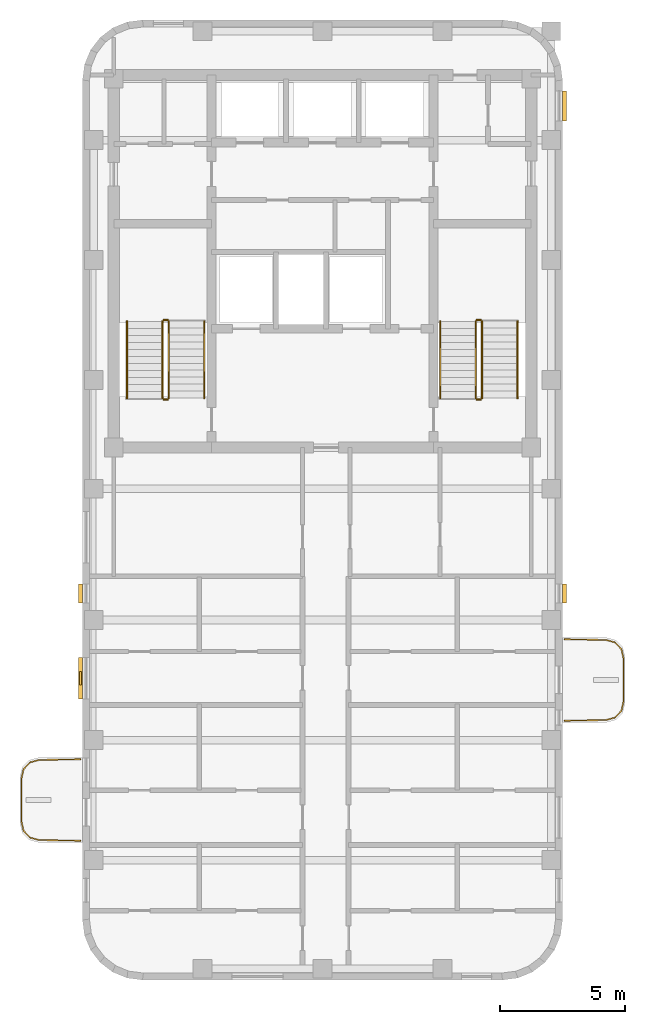
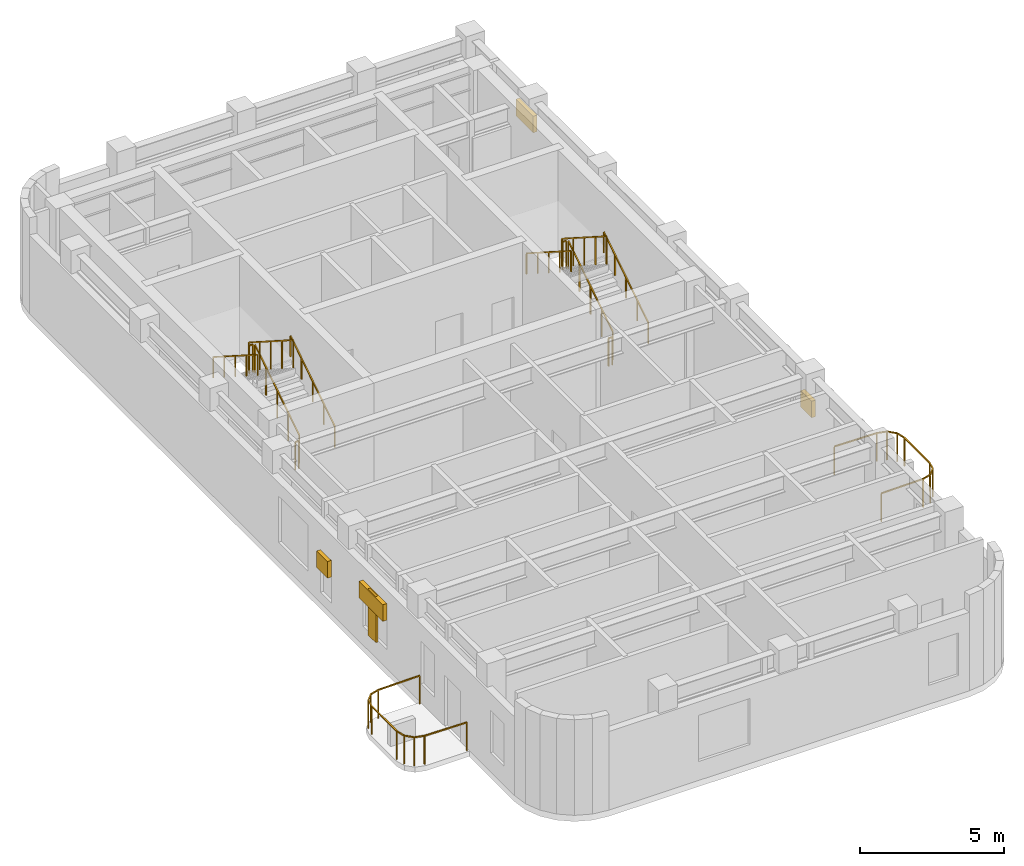
# One storey, part 6 of 6: 14 railings, 5 shading devices.
"""IFC4 building model written with IfcOpenShell, lengths in metres."""

from ifc_helpers import new_model, si_unit, direction, frame, origin, origin_2d, place, context, subcontext, project, spatial, rectangle, extrude, material, type_object, element, save


model = new_model("IFC4")

# Units and contexts
model_context = context("Model", 3, precision=1e-05, world=origin(), true_north=direction((0.0, 1.0)))
body_context = subcontext(model_context, "Body", "Model", "MODEL_VIEW")
ifc_project = project(units=[si_unit("LENGTHUNIT", "METRE"), si_unit("AREAUNIT", "SQUARE_METRE"), si_unit("VOLUMEUNIT", "CUBIC_METRE"), si_unit("PLANEANGLEUNIT", "RADIAN"), si_unit("MASSUNIT", "GRAM", prefix="KILO")], contexts=[model_context])

# Site, building, storey
site_placement = place(None, origin())
site = spatial("IfcSite", under=ifc_project, at=site_placement, CompositionType="ELEMENT")
building_placement = place(site_placement, origin())
building = spatial("IfcBuilding", under=site, at=building_placement, Name="Orvandelia Arch Residences", CompositionType="ELEMENT")
storey_placement = place(building_placement, frame((0.0, 0.0, 248.39990234375)))
storey = spatial("IfcBuildingStorey", under=building, at=storey_placement, Name="L65", CompositionType="ELEMENT", Elevation=248.39990234375)

# Railings
ifc_material_1 = material(Name="Marine-Grade Stainless Steel 316", Category="steel")
railing_type_1 = type_object("IfcRailingType", Name="GRD-BAL-1200", PredefinedType="BALUSTRADE", material=ifc_material_1)
railing_1_placement = place(storey_placement, frame((4.728271484375, 18.430419921875, 0.0)))
element("IfcRailing", 1, at=railing_1_placement, inside=storey, type_object=railing_type_1, Name="Safety Balustrade Guard GRD-L65-BAL-L65-W1-1", PredefinedType="BALUSTRADE", context=body_context, shape_type="SweptSolid", body=[
    extrude(rectangle(XDim=0.048095703125, YDim=0.048095703125, at=origin_2d()), frame((0.0, 0.0, 1.19580078125), z_axis=(-0.999834751713, -0.018178813668, 0.0), x_axis=(0.018178813668, -0.999834751713, 0.0)), (0.0, 0.0, 1.0), 1.6787109375),
    extrude(rectangle(XDim=0.048095703125, YDim=0.048095703125, at=origin_2d()), frame((-1.678466796875, -0.030517578125, 1.19580078125), z_axis=(-0.96348920644, -0.267747173792, 0.0), x_axis=(0.267747173792, -0.96348920644, 0.0)), (0.0, 0.0, 1.0), 0.36572265625),
    extrude(rectangle(XDim=0.048095703125, YDim=0.048095703125, at=origin_2d()), frame((-2.03076171875, -0.12841796875, 1.19580078125), z_axis=(-0.688627404251, -0.725115368831, 0.0), x_axis=(0.725115368831, -0.688627404251, 0.0)), (0.0, 0.0, 1.0), 0.367919921875),
    extrude(rectangle(XDim=0.048095703125, YDim=0.048095703125, at=origin_2d()), frame((-2.2841796875, -0.395263671875, 1.19580078125), z_axis=(-0.220602419982, -0.975363815352, 0.0), x_axis=(0.975363815352, -0.220602419982, 0.0)), (0.0, 0.0, 1.0), 0.373046875),
    extrude(rectangle(XDim=0.048095703125, YDim=0.048095703125, at=origin_2d()), frame((-2.366455078125, -0.759033203125, 1.19580078125), z_axis=(0.0, -1.0, 0.0), x_axis=(1.0, 0.0, 0.0)), (0.0, 0.0, 1.0), 1.74267578125),
    extrude(rectangle(XDim=0.048095703125, YDim=0.048095703125, at=origin_2d()), frame((-2.366455078125, -2.501708984375, 1.19580078125), z_axis=(0.220602419982, -0.975363815352, 0.0), x_axis=(0.975363815352, 0.220602419982, 0.0)), (0.0, 0.0, 1.0), 0.373046875),
    extrude(rectangle(XDim=0.048095703125, YDim=0.048095703125, at=origin_2d()), frame((-2.2841796875, -2.865478515625, 1.19580078125), z_axis=(0.688296224633, -0.725429739642, 0.0), x_axis=(0.725429739642, 0.688296224633, 0.0)), (0.0, 0.0, 1.0), 0.3681640625),
    extrude(rectangle(XDim=0.048095703125, YDim=0.048095703125, at=origin_2d()), frame((-2.03076171875, -3.132568359375, 1.19580078125), z_axis=(0.96348920644, -0.267747173792, 0.0), x_axis=(0.267747173792, 0.96348920644, 0.0)), (0.0, 0.0, 1.0), 0.36572265625),
    extrude(rectangle(XDim=0.048095703125, YDim=0.048095703125, at=origin_2d()), frame((-1.678466796875, -3.23046875, 1.19580078125), z_axis=(0.999837384468, -0.018033430643, 0.0), x_axis=(0.018033430643, 0.999837384468, 0.0)), (0.0, 0.0, 1.0), 1.6787109375),
    extrude(rectangle(XDim=0.0419921875, YDim=0.0419921875, at=origin_2d()), origin(), (0.0, 0.0, 1.0), 1.171875),
    extrude(rectangle(XDim=0.0419921875, YDim=0.0419921875, at=origin_2d()), frame((-1.678466796875, -0.030517578125, 0.0)), (0.0, 0.0, 1.0), 1.171875),
    extrude(rectangle(XDim=0.0419921875, YDim=0.0419921875, at=origin_2d()), frame((-2.03076171875, -0.12841796875, 0.0)), (0.0, 0.0, 1.0), 1.171875),
    extrude(rectangle(XDim=0.0419921875, YDim=0.0419921875, at=origin_2d()), frame((-2.2841796875, -0.395263671875, 0.0)), (0.0, 0.0, 1.0), 1.171875),
    extrude(rectangle(XDim=0.0419921875, YDim=0.0419921875, at=origin_2d()), frame((-2.366455078125, -0.759033203125, 0.0)), (0.0, 0.0, 1.0), 1.171875),
    extrude(rectangle(XDim=0.0419921875, YDim=0.0419921875, at=origin_2d()), frame((-2.366455078125, -2.501708984375, 0.0)), (0.0, 0.0, 1.0), 1.171875),
    extrude(rectangle(XDim=0.0419921875, YDim=0.0419921875, at=origin_2d()), frame((-2.2841796875, -2.865478515625, 0.0)), (0.0, 0.0, 1.0), 1.171875),
    extrude(rectangle(XDim=0.0419921875, YDim=0.0419921875, at=origin_2d()), frame((-2.03076171875, -3.132568359375, 0.0)), (0.0, 0.0, 1.0), 1.171875),
    extrude(rectangle(XDim=0.0419921875, YDim=0.0419921875, at=origin_2d()), frame((-1.678466796875, -3.23046875, 0.0)), (0.0, 0.0, 1.0), 1.171875),
    extrude(rectangle(XDim=0.0419921875, YDim=0.0419921875, at=origin_2d()), frame((0.0, -3.2607421875, 0.0)), (0.0, 0.0, 1.0), 1.171875),
])
railing_2_placement = place(storey_placement, frame((24.07177734375, 19.969482421875, 0.0)))
element("IfcRailing", 2, at=railing_2_placement, inside=storey, type_object=railing_type_1, Name="Safety Balustrade Guard GRD-L65-BAL-L65-W2-1", PredefinedType="BALUSTRADE", context=body_context, shape_type="SweptSolid", body=[
    extrude(rectangle(XDim=0.048095703125, YDim=0.048095703125, at=origin_2d()), frame((0.0, 0.0, 1.19580078125), z_axis=(0.999834751713, 0.018178813668, 0.0), x_axis=(-0.018178813668, 0.999834751713, 0.0)), (0.0, 0.0, 1.0), 1.6787109375),
    extrude(rectangle(XDim=0.048095703125, YDim=0.048095703125, at=origin_2d()), frame((1.678466796875, 0.030517578125, 1.19580078125), z_axis=(0.96348920644, 0.267747173792, 0.0), x_axis=(-0.267747173792, 0.96348920644, 0.0)), (0.0, 0.0, 1.0), 0.36572265625),
    extrude(rectangle(XDim=0.048095703125, YDim=0.048095703125, at=origin_2d()), frame((2.03076171875, 0.12841796875, 1.19580078125), z_axis=(0.687947031175, 0.725760898848, 0.0), x_axis=(-0.725760898848, 0.687947031175, 0.0)), (0.0, 0.0, 1.0), 0.367919921875),
    extrude(rectangle(XDim=0.048095703125, YDim=0.048095703125, at=origin_2d()), frame((2.283935546875, 0.3955078125, 1.19580078125), z_axis=(0.221225034864, 0.975222786828, 0.0), x_axis=(-0.975222786828, 0.221225034864, 0.0)), (0.0, 0.0, 1.0), 0.373046875),
    extrude(rectangle(XDim=0.048095703125, YDim=0.048095703125, at=origin_2d()), frame((2.366455078125, 0.75927734375, 1.19580078125), z_axis=(0.0, 1.0, 0.0), x_axis=(-1.0, 0.0, 0.0)), (0.0, 0.0, 1.0), 1.742431640625),
    extrude(rectangle(XDim=0.048095703125, YDim=0.048095703125, at=origin_2d()), frame((2.366455078125, 2.501708984375, 1.19580078125), z_axis=(-0.2210839158, 0.975254788337, 0.0), x_axis=(-0.975254788337, -0.2210839158, 0.0)), (0.0, 0.0, 1.0), 0.373291015625),
    extrude(rectangle(XDim=0.048095703125, YDim=0.048095703125, at=origin_2d()), frame((2.283935546875, 2.86572265625, 1.19580078125), z_axis=(-0.688278345278, 0.725446703364, 0.0), x_axis=(-0.725446703364, -0.688278345278, 0.0)), (0.0, 0.0, 1.0), 0.367919921875),
    extrude(rectangle(XDim=0.048095703125, YDim=0.048095703125, at=origin_2d()), frame((2.03076171875, 3.132568359375, 1.19580078125), z_axis=(-0.96348920644, 0.267747173792, 0.0), x_axis=(-0.267747173792, -0.96348920644, 0.0)), (0.0, 0.0, 1.0), 0.36572265625),
    extrude(rectangle(XDim=0.048095703125, YDim=0.048095703125, at=origin_2d()), frame((1.678466796875, 3.23046875, 1.19580078125), z_axis=(-0.999834751713, 0.018178813668, 0.0), x_axis=(-0.018178813668, -0.999834751713, 0.0)), (0.0, 0.0, 1.0), 1.6787109375),
    extrude(rectangle(XDim=0.0419921875, YDim=0.0419921875, at=origin_2d()), origin(), (0.0, 0.0, 1.0), 1.171875),
    extrude(rectangle(XDim=0.0419921875, YDim=0.0419921875, at=origin_2d()), frame((1.678466796875, 0.030517578125, 0.0)), (0.0, 0.0, 1.0), 1.171875),
    extrude(rectangle(XDim=0.0419921875, YDim=0.0419921875, at=origin_2d()), frame((2.03076171875, 0.12841796875, 0.0)), (0.0, 0.0, 1.0), 1.171875),
    extrude(rectangle(XDim=0.0419921875, YDim=0.0419921875, at=origin_2d()), frame((2.283935546875, 0.3955078125, 0.0)), (0.0, 0.0, 1.0), 1.171875),
    extrude(rectangle(XDim=0.0419921875, YDim=0.0419921875, at=origin_2d()), frame((2.366455078125, 0.75927734375, 0.0)), (0.0, 0.0, 1.0), 1.171875),
    extrude(rectangle(XDim=0.0419921875, YDim=0.0419921875, at=origin_2d()), frame((2.366455078125, 2.501708984375, 0.0)), (0.0, 0.0, 1.0), 1.171875),
    extrude(rectangle(XDim=0.0419921875, YDim=0.0419921875, at=origin_2d()), frame((2.283935546875, 2.86572265625, 0.0)), (0.0, 0.0, 1.0), 1.171875),
    extrude(rectangle(XDim=0.0419921875, YDim=0.0419921875, at=origin_2d()), frame((2.03076171875, 3.132568359375, 0.0)), (0.0, 0.0, 1.0), 1.171875),
    extrude(rectangle(XDim=0.0419921875, YDim=0.0419921875, at=origin_2d()), frame((1.678466796875, 3.23046875, 0.0)), (0.0, 0.0, 1.0), 1.171875),
    extrude(rectangle(XDim=0.0419921875, YDim=0.0419921875, at=origin_2d()), frame((0.0, 3.260986328125, 0.0)), (0.0, 0.0, 1.0), 1.171875),
])
ifc_material_2 = material(Name="Brushed Stainless Steel 304", Category="steel")
railing_type_2 = type_object("IfcRailingType", Name="RL-STAIR-GD1120", PredefinedType="GUARDRAIL", material=ifc_material_2)
railing_3_placement = place(storey_placement, frame((8.25, 32.8701171875, 0.17919921875)))
element("IfcRailing", 3, at=railing_3_placement, inside=storey, type_object=railing_type_2, Name="L65 ST-1 stair guard 1", PredefinedType="GUARDRAIL", context=body_context, shape_type="SweptSolid", body=[
    extrude(rectangle(XDim=0.048095703125, YDim=0.048095703125, at=origin_2d()), frame((0.0, 0.0, 1.17578125), z_axis=(0.0, 0.842289589211, 0.539025275759), x_axis=(-1.0, 0.0, 0.0)), (0.0, 0.0, 1.0), 3.656494140625),
    extrude(rectangle(XDim=0.0419921875, YDim=0.0419921875, at=origin_2d()), origin(), (0.0, 0.0, 1.0), 1.15185546875),
    extrude(rectangle(XDim=0.0419921875, YDim=0.0419921875, at=origin_2d()), frame((0.0, 0.77001953125, 0.49267578125)), (0.0, 0.0, 1.0), 1.15185546875),
    extrude(rectangle(XDim=0.0419921875, YDim=0.0419921875, at=origin_2d()), frame((0.0, 1.5400390625, 0.9853515625)), (0.0, 0.0, 1.0), 1.15185546875),
    extrude(rectangle(XDim=0.0419921875, YDim=0.0419921875, at=origin_2d()), frame((0.0, 2.309814453125, 1.478271484375)), (0.0, 0.0, 1.0), 1.15185546875),
    extrude(rectangle(XDim=0.0419921875, YDim=0.0419921875, at=origin_2d()), frame((0.0, 3.079833984375, 1.970947265625)), (0.0, 0.0, 1.0), 1.15185546875),
])
railing_4_placement = place(storey_placement, frame((8.199951171875, 36.0, 2.150146484375)))
element("IfcRailing", 4, at=railing_4_placement, inside=storey, type_object=railing_type_2, Name="L65 ST-1 stair guard 2", PredefinedType="GUARDRAIL", context=body_context, shape_type="SweptSolid", body=[
    extrude(rectangle(XDim=0.048095703125, YDim=0.048095703125, at=origin_2d()), frame((0.0, 0.0, 1.17578125), z_axis=(-1.0, 0.0, 0.0), x_axis=(0.0, -1.0, 0.0)), (0.0, 0.0, 1.0), 0.14990234375),
    extrude(rectangle(XDim=0.0419921875, YDim=0.0419921875, at=origin_2d()), origin(), (0.0, 0.0, 1.0), 1.15185546875),
    extrude(rectangle(XDim=0.0419921875, YDim=0.0419921875, at=origin_2d()), frame((-0.14990234375, 0.0, 0.0)), (0.0, 0.0, 1.0), 1.15185546875),
])
railing_5_placement = place(storey_placement, frame((8.0, 35.949951171875, 2.329345703125)))
element("IfcRailing", 5, at=railing_5_placement, inside=storey, type_object=railing_type_2, Name="L65 ST-1 stair guard 3", PredefinedType="GUARDRAIL", context=body_context, shape_type="SweptSolid", body=[
    extrude(rectangle(XDim=0.048095703125, YDim=0.048095703125, at=origin_2d()), frame((0.0, 0.0, 1.17578125), z_axis=(0.0, -0.842319903074, 0.538977903893), x_axis=(1.0, 0.0, 0.0)), (0.0, 0.0, 1.0), 3.65625),
    extrude(rectangle(XDim=0.0419921875, YDim=0.0419921875, at=origin_2d()), origin(), (0.0, 0.0, 1.0), 1.15185546875),
    extrude(rectangle(XDim=0.0419921875, YDim=0.0419921875, at=origin_2d()), frame((0.0, -0.77001953125, 0.49267578125)), (0.0, 0.0, 1.0), 1.15185546875),
    extrude(rectangle(XDim=0.0419921875, YDim=0.0419921875, at=origin_2d()), frame((0.0, -1.5400390625, 0.9853515625)), (0.0, 0.0, 1.0), 1.15185546875),
    extrude(rectangle(XDim=0.0419921875, YDim=0.0419921875, at=origin_2d()), frame((0.0, -2.309814453125, 1.47802734375)), (0.0, 0.0, 1.0), 1.15185546875),
    extrude(rectangle(XDim=0.0419921875, YDim=0.0419921875, at=origin_2d()), frame((0.0, -3.079833984375, 1.970703125)), (0.0, 0.0, 1.0), 1.15185546875),
])
railing_6_placement = place(storey_placement, frame((8.199951171875, 32.820068359375, 0.0)))
element("IfcRailing", 6, at=railing_6_placement, inside=storey, type_object=railing_type_2, Name="L65 ST-1 stair guard 4", PredefinedType="GUARDRAIL", context=body_context, shape_type="SweptSolid", body=[
    extrude(rectangle(XDim=0.048095703125, YDim=0.048095703125, at=origin_2d()), frame((0.0, 0.0, 1.17578125), z_axis=(-1.0, 0.0, 0.0), x_axis=(0.0, -1.0, 0.0)), (0.0, 0.0, 1.0), 0.14990234375),
    extrude(rectangle(XDim=0.0419921875, YDim=0.0419921875, at=origin_2d()), origin(), (0.0, 0.0, 1.0), 1.15185546875),
    extrude(rectangle(XDim=0.0419921875, YDim=0.0419921875, at=origin_2d()), frame((-0.14990234375, 0.0, 0.0)), (0.0, 0.0, 1.0), 1.15185546875),
])
railing_7_placement = place(storey_placement, frame((20.780029296875, 32.8701171875, 0.17919921875)))
element("IfcRailing", 7, at=railing_7_placement, inside=storey, type_object=railing_type_2, Name="L65 ST-2 stair guard 1", PredefinedType="GUARDRAIL", context=body_context, shape_type="SweptSolid", body=[
    extrude(rectangle(XDim=0.048095703125, YDim=0.048095703125, at=origin_2d()), frame((0.0, 0.0, 1.17578125), z_axis=(0.0, 0.842289589211, 0.539025275759), x_axis=(-1.0, 0.0, 0.0)), (0.0, 0.0, 1.0), 3.656494140625),
    extrude(rectangle(XDim=0.0419921875, YDim=0.0419921875, at=origin_2d()), origin(), (0.0, 0.0, 1.0), 1.15185546875),
    extrude(rectangle(XDim=0.0419921875, YDim=0.0419921875, at=origin_2d()), frame((0.0, 0.77001953125, 0.49267578125)), (0.0, 0.0, 1.0), 1.15185546875),
    extrude(rectangle(XDim=0.0419921875, YDim=0.0419921875, at=origin_2d()), frame((0.0, 1.5400390625, 0.9853515625)), (0.0, 0.0, 1.0), 1.15185546875),
    extrude(rectangle(XDim=0.0419921875, YDim=0.0419921875, at=origin_2d()), frame((0.0, 2.309814453125, 1.478271484375)), (0.0, 0.0, 1.0), 1.15185546875),
    extrude(rectangle(XDim=0.0419921875, YDim=0.0419921875, at=origin_2d()), frame((0.0, 3.079833984375, 1.970947265625)), (0.0, 0.0, 1.0), 1.15185546875),
])
railing_8_placement = place(storey_placement, frame((20.72998046875, 36.0, 2.150146484375)))
element("IfcRailing", 8, at=railing_8_placement, inside=storey, type_object=railing_type_2, Name="L65 ST-2 stair guard 2", PredefinedType="GUARDRAIL", context=body_context, shape_type="SweptSolid", body=[
    extrude(rectangle(XDim=0.048095703125, YDim=0.048095703125, at=origin_2d()), frame((0.0, 0.0, 1.17578125), z_axis=(-1.0, 0.0, 0.0), x_axis=(0.0, -1.0, 0.0)), (0.0, 0.0, 1.0), 0.14990234375),
    extrude(rectangle(XDim=0.0419921875, YDim=0.0419921875, at=origin_2d()), origin(), (0.0, 0.0, 1.0), 1.15185546875),
    extrude(rectangle(XDim=0.0419921875, YDim=0.0419921875, at=origin_2d()), frame((-0.14990234375, 0.0, 0.0)), (0.0, 0.0, 1.0), 1.15185546875),
])
railing_9_placement = place(storey_placement, frame((20.530029296875, 35.949951171875, 2.329345703125)))
element("IfcRailing", 9, at=railing_9_placement, inside=storey, type_object=railing_type_2, Name="L65 ST-2 stair guard 3", PredefinedType="GUARDRAIL", context=body_context, shape_type="SweptSolid", body=[
    extrude(rectangle(XDim=0.048095703125, YDim=0.048095703125, at=origin_2d()), frame((0.0, 0.0, 1.17578125), z_axis=(0.0, -0.842319903074, 0.538977903893), x_axis=(1.0, 0.0, 0.0)), (0.0, 0.0, 1.0), 3.65625),
    extrude(rectangle(XDim=0.0419921875, YDim=0.0419921875, at=origin_2d()), origin(), (0.0, 0.0, 1.0), 1.15185546875),
    extrude(rectangle(XDim=0.0419921875, YDim=0.0419921875, at=origin_2d()), frame((0.0, -0.77001953125, 0.49267578125)), (0.0, 0.0, 1.0), 1.15185546875),
    extrude(rectangle(XDim=0.0419921875, YDim=0.0419921875, at=origin_2d()), frame((0.0, -1.5400390625, 0.9853515625)), (0.0, 0.0, 1.0), 1.15185546875),
    extrude(rectangle(XDim=0.0419921875, YDim=0.0419921875, at=origin_2d()), frame((0.0, -2.309814453125, 1.47802734375)), (0.0, 0.0, 1.0), 1.15185546875),
    extrude(rectangle(XDim=0.0419921875, YDim=0.0419921875, at=origin_2d()), frame((0.0, -3.079833984375, 1.970703125)), (0.0, 0.0, 1.0), 1.15185546875),
])
railing_10_placement = place(storey_placement, frame((20.72998046875, 32.820068359375, 0.0)))
element("IfcRailing", 10, at=railing_10_placement, inside=storey, type_object=railing_type_2, Name="L65 ST-2 stair guard 4", PredefinedType="GUARDRAIL", context=body_context, shape_type="SweptSolid", body=[
    extrude(rectangle(XDim=0.048095703125, YDim=0.048095703125, at=origin_2d()), frame((0.0, 0.0, 1.17578125), z_axis=(-1.0, 0.0, 0.0), x_axis=(0.0, -1.0, 0.0)), (0.0, 0.0, 1.0), 0.14990234375),
    extrude(rectangle(XDim=0.0419921875, YDim=0.0419921875, at=origin_2d()), origin(), (0.0, 0.0, 1.0), 1.15185546875),
    extrude(rectangle(XDim=0.0419921875, YDim=0.0419921875, at=origin_2d()), frame((-0.14990234375, 0.0, 0.0)), (0.0, 0.0, 1.0), 1.15185546875),
])
railing_type_3 = type_object("IfcRailingType", Name="RL-STAIR-HR920", PredefinedType="HANDRAIL", material=ifc_material_2)
railing_11_placement = place(storey_placement, frame((9.669921875, 32.8701171875, 0.3583984375)))
element("IfcRailing", 11, at=railing_11_placement, inside=storey, type_object=railing_type_3, Name="L65 ST-1 stair handrail 1", PredefinedType="HANDRAIL", context=body_context, shape_type="SweptSolid", body=[
    extrude(rectangle(XDim=0.048095703125, YDim=0.048095703125, at=origin_2d()), frame((0.0, 0.0, 0.8759765625), z_axis=(0.0, 0.842289589211, 0.539025275759), x_axis=(-1.0, 0.0, 0.0)), (0.0, 0.0, 1.0), 3.656494140625),
    extrude(rectangle(XDim=0.0419921875, YDim=0.0419921875, at=origin_2d()), origin(), (0.0, 0.0, 1.0), 0.851806640625),
    extrude(rectangle(XDim=0.0419921875, YDim=0.0419921875, at=origin_2d()), frame((0.0, 0.77001953125, 0.49267578125)), (0.0, 0.0, 1.0), 0.851806640625),
    extrude(rectangle(XDim=0.0419921875, YDim=0.0419921875, at=origin_2d()), frame((0.0, 1.5400390625, 0.9853515625)), (0.0, 0.0, 1.0), 0.851806640625),
    extrude(rectangle(XDim=0.0419921875, YDim=0.0419921875, at=origin_2d()), frame((0.0, 2.309814453125, 1.478271484375)), (0.0, 0.0, 1.0), 0.851806640625),
    extrude(rectangle(XDim=0.0419921875, YDim=0.0419921875, at=origin_2d()), frame((0.0, 3.079833984375, 1.970947265625)), (0.0, 0.0, 1.0), 0.851806640625),
])
railing_12_placement = place(storey_placement, frame((6.580078125, 35.949951171875, 2.508544921875)))
element("IfcRailing", 12, at=railing_12_placement, inside=storey, type_object=railing_type_3, Name="L65 ST-1 stair handrail 2", PredefinedType="HANDRAIL", context=body_context, shape_type="SweptSolid", body=[
    extrude(rectangle(XDim=0.048095703125, YDim=0.048095703125, at=origin_2d()), frame((0.0, 0.0, 0.8759765625), z_axis=(0.0, -0.842319903074, 0.538977903893), x_axis=(1.0, 0.0, 0.0)), (0.0, 0.0, 1.0), 3.65625),
    extrude(rectangle(XDim=0.0419921875, YDim=0.0419921875, at=origin_2d()), origin(), (0.0, 0.0, 1.0), 0.851806640625),
    extrude(rectangle(XDim=0.0419921875, YDim=0.0419921875, at=origin_2d()), frame((0.0, -0.77001953125, 0.49267578125)), (0.0, 0.0, 1.0), 0.851806640625),
    extrude(rectangle(XDim=0.0419921875, YDim=0.0419921875, at=origin_2d()), frame((0.0, -1.5400390625, 0.9853515625)), (0.0, 0.0, 1.0), 0.851806640625),
    extrude(rectangle(XDim=0.0419921875, YDim=0.0419921875, at=origin_2d()), frame((0.0, -2.309814453125, 1.47802734375)), (0.0, 0.0, 1.0), 0.851806640625),
    extrude(rectangle(XDim=0.0419921875, YDim=0.0419921875, at=origin_2d()), frame((0.0, -3.079833984375, 1.970703125)), (0.0, 0.0, 1.0), 0.851806640625),
])
railing_13_placement = place(storey_placement, frame((22.199951171875, 32.8701171875, 0.3583984375)))
element("IfcRailing", 13, at=railing_13_placement, inside=storey, type_object=railing_type_3, Name="L65 ST-2 stair handrail 1", PredefinedType="HANDRAIL", context=body_context, shape_type="SweptSolid", body=[
    extrude(rectangle(XDim=0.048095703125, YDim=0.048095703125, at=origin_2d()), frame((0.0, 0.0, 0.8759765625), z_axis=(0.0, 0.842289589211, 0.539025275759), x_axis=(-1.0, 0.0, 0.0)), (0.0, 0.0, 1.0), 3.656494140625),
    extrude(rectangle(XDim=0.0419921875, YDim=0.0419921875, at=origin_2d()), origin(), (0.0, 0.0, 1.0), 0.851806640625),
    extrude(rectangle(XDim=0.0419921875, YDim=0.0419921875, at=origin_2d()), frame((0.0, 0.77001953125, 0.49267578125)), (0.0, 0.0, 1.0), 0.851806640625),
    extrude(rectangle(XDim=0.0419921875, YDim=0.0419921875, at=origin_2d()), frame((0.0, 1.5400390625, 0.9853515625)), (0.0, 0.0, 1.0), 0.851806640625),
    extrude(rectangle(XDim=0.0419921875, YDim=0.0419921875, at=origin_2d()), frame((0.0, 2.309814453125, 1.478271484375)), (0.0, 0.0, 1.0), 0.851806640625),
    extrude(rectangle(XDim=0.0419921875, YDim=0.0419921875, at=origin_2d()), frame((0.0, 3.079833984375, 1.970947265625)), (0.0, 0.0, 1.0), 0.851806640625),
])
railing_14_placement = place(storey_placement, frame((19.110107421875, 35.949951171875, 2.508544921875)))
element("IfcRailing", 14, at=railing_14_placement, inside=storey, type_object=railing_type_3, Name="L65 ST-2 stair handrail 2", PredefinedType="HANDRAIL", context=body_context, shape_type="SweptSolid", body=[
    extrude(rectangle(XDim=0.048095703125, YDim=0.048095703125, at=origin_2d()), frame((0.0, 0.0, 0.8759765625), z_axis=(0.0, -0.842319903074, 0.538977903893), x_axis=(1.0, 0.0, 0.0)), (0.0, 0.0, 1.0), 3.65625),
    extrude(rectangle(XDim=0.0419921875, YDim=0.0419921875, at=origin_2d()), origin(), (0.0, 0.0, 1.0), 0.851806640625),
    extrude(rectangle(XDim=0.0419921875, YDim=0.0419921875, at=origin_2d()), frame((0.0, -0.77001953125, 0.49267578125)), (0.0, 0.0, 1.0), 0.851806640625),
    extrude(rectangle(XDim=0.0419921875, YDim=0.0419921875, at=origin_2d()), frame((0.0, -1.5400390625, 0.9853515625)), (0.0, 0.0, 1.0), 0.851806640625),
    extrude(rectangle(XDim=0.0419921875, YDim=0.0419921875, at=origin_2d()), frame((0.0, -2.309814453125, 1.47802734375)), (0.0, 0.0, 1.0), 0.851806640625),
    extrude(rectangle(XDim=0.0419921875, YDim=0.0419921875, at=origin_2d()), frame((0.0, -3.079833984375, 1.970703125)), (0.0, 0.0, 1.0), 0.851806640625),
])

# Shading devices
ifc_material_3 = material(Name="Anodised Champagne-Bronze Extruded Aluminium", Category="aluminium")
shading_device_type_1 = type_object("IfcShadingDeviceType", Name="SHD-JALOUSIE-SCREEN", PredefinedType="JALOUSIE", material=ifc_material_3)
shading_device_1_placement = place(storey_placement, frame((24.080078125, 44.5673828125, 1.89990234375), z_axis=(0.0, 0.0, 1.0), x_axis=(0.0, -1.0, 0.0)))
element("IfcShadingDevice", 15, at=shading_device_1_placement, inside=storey, type_object=shading_device_type_1, Name="Bronze Jalousie Sun-Shade L65-001", PredefinedType="JALOUSIE", context=body_context, shape_type="SweptSolid", body=[
    extrude(rectangle(XDim=1.199951171875, YDim=0.159912109375, at=origin_2d()), origin(), (0.0, 0.0, 1.0), 0.699951171875),
])
shading_device_2_placement = place(storey_placement, frame((24.080078125, 25.0576171875, 1.55029296875), z_axis=(0.0, 0.0, 1.0), x_axis=(0.0, -1.0, 0.0)))
element("IfcShadingDevice", 16, at=shading_device_2_placement, inside=storey, type_object=shading_device_type_1, Name="Bronze Jalousie Sun-Shade L65-002", PredefinedType="JALOUSIE", context=body_context, shape_type="SweptSolid", body=[
    extrude(rectangle(XDim=0.75, YDim=0.159912109375, at=origin_2d()), origin(), (0.0, 0.0, 1.0), 0.699951171875),
])
shading_device_3_placement = place(storey_placement, frame((4.719970703125, 21.669921875, 2.05029296875), z_axis=(0.0, 0.0, 1.0), x_axis=(0.0, 1.0, 0.0)))
element("IfcShadingDevice", 17, at=shading_device_3_placement, inside=storey, type_object=shading_device_type_1, Name="Bronze Jalousie Sun-Shade L65-003", PredefinedType="JALOUSIE", context=body_context, shape_type="SweptSolid", body=[
    extrude(rectangle(XDim=1.64990234375, YDim=0.159912109375, at=origin_2d()), origin(), (0.0, 0.0, 1.0), 0.699951171875),
])
shading_device_4_placement = place(storey_placement, frame((4.719970703125, 25.0576171875, 1.55029296875), z_axis=(0.0, 0.0, 1.0), x_axis=(0.0, 1.0, 0.0)))
element("IfcShadingDevice", 18, at=shading_device_4_placement, inside=storey, type_object=shading_device_type_1, Name="Bronze Jalousie Sun-Shade L65-004", PredefinedType="JALOUSIE", context=body_context, shape_type="SweptSolid", body=[
    extrude(rectangle(XDim=0.75, YDim=0.159912109375, at=origin_2d()), origin(), (0.0, 0.0, 1.0), 0.699951171875),
])
ifc_material_4 = material(Name="Marine-Grade Perforated Aluminium Storm Shutter", Category="aluminium")
shading_device_type_2 = type_object("IfcShadingDeviceType", Name="SHD-STORM-SHUTTER", PredefinedType="SHUTTER", material=ifc_material_4)
shading_device_5_placement = place(storey_placement, frame((4.719970703125, 21.669921875, 0.80029296875), z_axis=(0.0, 0.0, 1.0), x_axis=(0.0, 1.0, 0.0)))
element("IfcShadingDevice", 19, at=shading_device_5_placement, inside=storey, type_object=shading_device_type_2, Name="Operable Typhoon Storm Shutter L65-003", PredefinedType="SHUTTER", context=body_context, shape_type="SweptSolid", body=[
    extrude(rectangle(XDim=0.550048828125, YDim=0.080078125, at=origin_2d()), origin(), (0.0, 0.0, 1.0), 1.949951171875),
])

save(model, "model.ifc")
